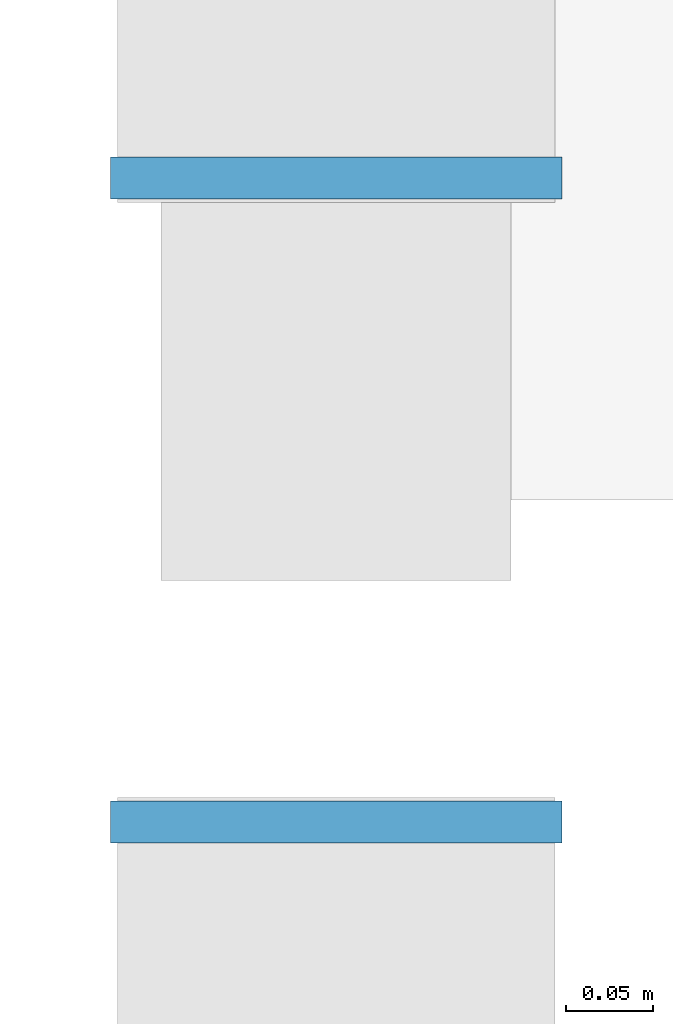
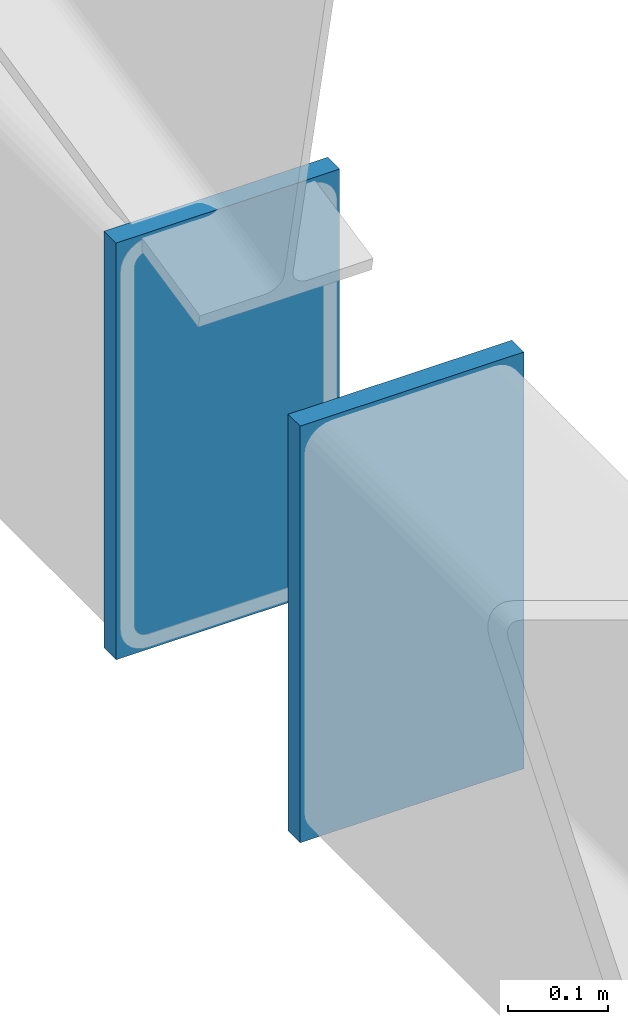
# One storey, part 31 of 45: 2 plates.
"""IFC4 building model written with IfcOpenShell, lengths in metres."""

from ifc_helpers import new_model, si_unit, direction, frame, origin, origin_2d, place, context, subcontext, project, spatial, rectangle, extrude, material, layer, layer_set, type_object, element, save


model = new_model("IFC4")

# Units and contexts
model_context = context("Model", 3, precision=1e-05, world=origin(), true_north=direction((0.0, 1.0)))
body_context = subcontext(model_context, "Body", "Model", "MODEL_VIEW")
ifc_project = project(units=[si_unit("LENGTHUNIT", "METRE"), si_unit("AREAUNIT", "SQUARE_METRE"), si_unit("VOLUMEUNIT", "CUBIC_METRE"), si_unit("PLANEANGLEUNIT", "RADIAN"), si_unit("MASSUNIT", "GRAM", prefix="KILO")], contexts=[model_context])

# Site, building, storey
site_placement = place(None, origin())
site = spatial("IfcSite", under=ifc_project, at=site_placement, CompositionType="ELEMENT")
building_placement = place(site_placement, origin())
building = spatial("IfcBuilding", under=site, at=building_placement, Name="Yukiwa Park Conservatory and Herbarium", CompositionType="ELEMENT")
storey_placement = place(building_placement, frame((0.0, 0.0, 9.0)))
storey = spatial("IfcBuildingStorey", under=building, at=storey_placement, Name="L02", CompositionType="ELEMENT", Elevation=9.0)

# Plates
ifc_material_1 = material(Name="Steel Q355D", Category="steel")
ifc_layer_1 = layer(ifc_material_1, 0.02392578125)
ifc_layer_set_1 = layer_set([ifc_layer_1], Name="Steel Q355D")
plate_type_1 = type_object("IfcPlateType", Name="PL-CAP-24", PredefinedType="USERDEFINED", material=ifc_layer_set_1)
plate_1_placement = place(storey_placement, frame((60.0, 15.404052734375, -0.25), z_axis=(0.0, 1.0, 0.0), x_axis=(-1.0, 0.0, 0.0)))
element("IfcPlate", 1, at=plate_1_placement, inside=storey, type_object=plate_type_1, Name="Hollow section end cap plate CAP-VGBL-E-2B", ObjectType="END CAP PLATE", PredefinedType="USERDEFINED", context=body_context, shape_type="SweptSolid", body=[
    extrude(rectangle(XDim=0.258056640625, YDim=0.508056640625, at=origin_2d()), origin(), (0.0, 0.0, 1.0), 0.02392578125),
])
ifc_material_2 = material(Name="Steel Q355D", Category="steel")
ifc_layer_2 = layer(ifc_material_2, 0.02392578125)
ifc_layer_set_2 = layer_set([ifc_layer_2], Name="Steel Q355D")
plate_type_2 = type_object("IfcPlateType", Name="PL-CAP-24-INT", PredefinedType="USERDEFINED", material=ifc_layer_set_2)
plate_2_placement = place(storey_placement, frame((60.0, 15.7958984375, -0.25), z_axis=(0.0, -1.0, 0.0), x_axis=(1.0, 0.0, 0.0)))
element("IfcPlate", 2, at=plate_2_placement, inside=storey, type_object=plate_type_2, Name="Hollow section end cap plate CAP-VGBL-E-3A", ObjectType="END CAP PLATE", PredefinedType="USERDEFINED", context=body_context, shape_type="SweptSolid", body=[
    extrude(rectangle(XDim=0.258056640625, YDim=0.508056640625, at=origin_2d()), origin(), (0.0, 0.0, 1.0), 0.02392578125),
])

save(model, "model.ifc")
